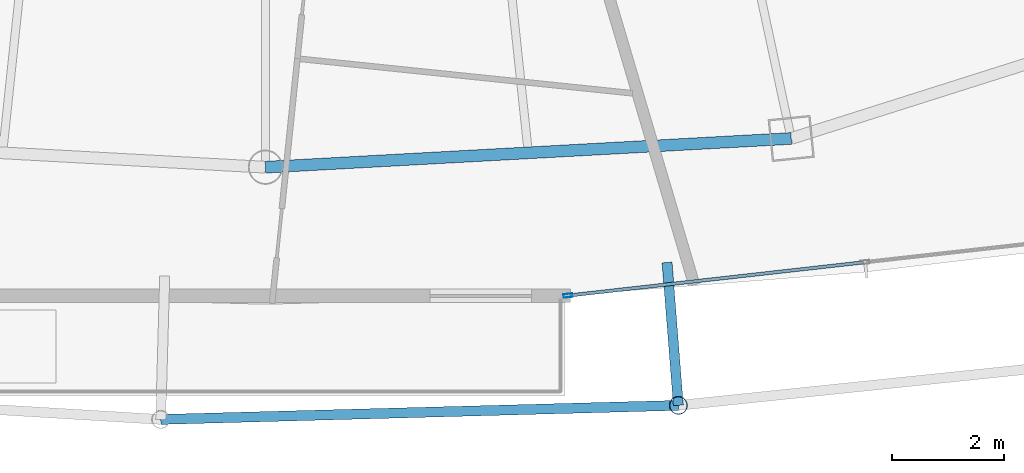
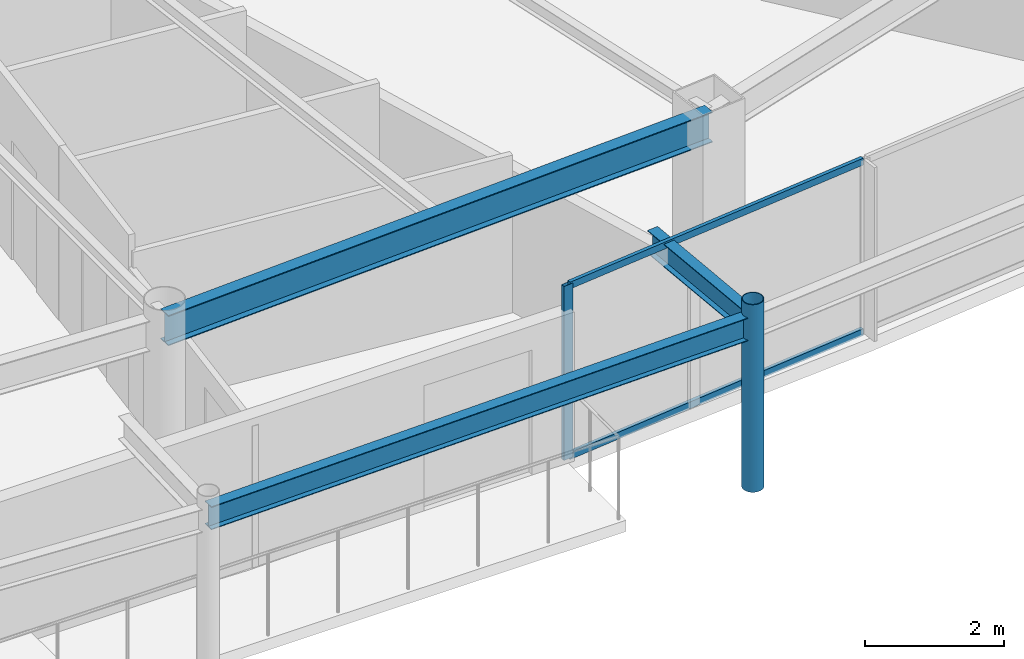
# One storey, part 9 of 34: 4 members, 3 beams, 1 element without a shape of its own.
"""IFC4 building model written with IfcOpenShell, lengths in metres."""

from ifc_helpers import new_model, si_unit, direction, frame, origin, origin_2d, place, context, subcontext, project, spatial, hollow_rectangle, hollow_circle, i_section, extrude, material, layer, layer_set, material_profile, profile_set, type_object, element, aggregate, save


model = new_model("IFC4")

# Units and contexts
model_context = context("Model", 3, precision=1e-05, world=origin(), true_north=direction((0.0, 1.0)))
body_context = subcontext(model_context, "Body", "Model", "MODEL_VIEW")
ifc_project = project(units=[si_unit("LENGTHUNIT", "METRE"), si_unit("AREAUNIT", "SQUARE_METRE"), si_unit("VOLUMEUNIT", "CUBIC_METRE"), si_unit("PLANEANGLEUNIT", "RADIAN"), si_unit("MASSUNIT", "GRAM", prefix="KILO")], contexts=[model_context])

# Site, building, storey
site_placement = place(None, origin())
site = spatial("IfcSite", under=ifc_project, at=site_placement, CompositionType="ELEMENT")
building_placement = place(site_placement, origin())
building = spatial("IfcBuilding", under=site, at=building_placement, Name="Orvanel Arch Residences", CompositionType="ELEMENT")
storey_placement = place(building_placement, frame((0.0, 0.0, 199.699951171875)))
storey = spatial("IfcBuildingStorey", under=building, at=storey_placement, Name="L56", CompositionType="ELEMENT", Elevation=199.699951171875)

# Curtain wall, member
ifc_material_1 = material(Name="Bronze-anodised aluminium AA6063-T6", Category="aluminium")
ifc_layer = layer(ifc_material_1, 0.175048828125)
ifc_layer_set = layer_set([ifc_layer], Name="Bronze-anodised aluminium AA6063-T6")
curtain_wall_type = type_object("IfcCurtainWallType", Name="CW4-HI-SYS", PredefinedType="NOTDEFINED", material=ifc_layer_set)
curtain_wall_placement = place(storey_placement, origin())
curtain_wall = element("IfcCurtainWall", 1, at=curtain_wall_placement, inside=storey, type_object=curtain_wall_type, Name="L56 CW4-HI-SYS Unitised Curtain Wall", PredefinedType="NOTDEFINED")
ifc_material_profile_1 = material_profile(ifc_material_1, hollow_rectangle(XDim=0.06494140625, YDim=0.159912109375, WallThickness=0.00390625, at=origin_2d()), Name="ALU160x65x4")
ifc_profile_set_1 = profile_set([ifc_material_profile_1], Name="Bronze-anodised aluminium AA6063-T6")
member_type_1 = type_object("IfcMemberType", Name="MUL-160x65", PredefinedType="MULLION", material=ifc_profile_set_1)
member_1_placement = place(storey_placement, frame((38.38134765625, 4.560546875, 0.0), z_axis=(0.0, 0.0, 1.0), x_axis=(-0.111799388547, 0.993730796907, 0.0)))
member_1 = element("IfcMember", 2, at=member_1_placement, type_object=member_type_1, Name="CW-S4 mullion 1", PredefinedType="MULLION", context=body_context, shape_type="SweptSolid", body=[
    extrude(hollow_rectangle(XDim=0.06494140625, YDim=0.159912109375, WallThickness=0.00390625, at=origin_2d()), origin(), (0.0, 0.0, 1.0), 3.06005859375),
])

# Beams
ifc_material_2 = material(Name="Structural steel AS/NZS 3679.1 Grade 300 (300 MPa)", Category="steel")
ifc_material_profile_2 = material_profile(ifc_material_2, i_section(OverallWidth=0.177978515625, OverallDepth=0.406005859375, WebThickness=0.0078125, FlangeThickness=0.0126953125, at=origin_2d()), Name="410UB59.7")
ifc_profile_set_2 = profile_set([ifc_material_profile_2], Name="Structural steel AS/NZS 3679.1 Grade 300 (300 MPa)")
beam_type_1 = type_object("IfcBeamType", Name="OB-410UB-EXT", PredefinedType="SPANDREL", material=ifc_profile_set_2)
beam_1_placement = place(storey_placement, frame((31.136962890625, 2.35791015625, 2.85693359375), z_axis=(0.999631556655, 0.027143156396, 0.0), x_axis=(-0.027143156396, 0.999631556655, 0.0)))
element("IfcBeam", 3, at=beam_1_placement, inside=storey, type_object=beam_type_1, Name="L56 Outer Perimeter Floor Ring Beam 06", PredefinedType="SPANDREL", context=body_context, shape_type="SweptSolid", body=[
    extrude(i_section(OverallWidth=0.177978515625, OverallDepth=0.406005859375, WebThickness=0.0078125, FlangeThickness=0.0126953125, at=origin_2d()), origin(), (0.0, 0.0, 1.0), 9.21044921875),
])
beam_2_placement = place(storey_placement, frame((40.14306640625, 5.14990234375, 2.85693359375), z_axis=(0.078797636407, -0.996890632164, 0.0), x_axis=(0.996890632164, 0.078797636407, 0.0)))
element("IfcBeam", 4, at=beam_2_placement, inside=storey, type_object=beam_type_1, Name="L56 Outer Frame Radial Tie Beam 07", PredefinedType="SPANDREL", context=body_context, shape_type="SweptSolid", body=[
    extrude(i_section(OverallWidth=0.177978515625, OverallDepth=0.406005859375, WebThickness=0.0078125, FlangeThickness=0.0126953125, at=origin_2d()), origin(), (0.0, 0.0, 1.0), 2.5498046875),
])
ifc_material_profile_3 = material_profile(ifc_material_2, i_section(OverallWidth=0.208984375, OverallDepth=0.532958984375, WebThickness=0.01025390625, FlangeThickness=0.015625, at=origin_2d()), Name="530UB92.4")
ifc_profile_set_3 = profile_set([ifc_material_profile_3], Name="Structural steel AS/NZS 3679.1 Grade 300 (300 MPa)")
beam_type_2 = type_object("IfcBeamType", Name="SP-530UB", PredefinedType="SPANDREL", material=ifc_profile_set_3)
beam_3_placement = place(storey_placement, frame((33.0, 6.843994140625, 2.79296875), z_axis=(0.998510315598, 0.054563262768, 0.0), x_axis=(-0.054563262768, 0.998510315598, 0.0)))
element("IfcBeam", 5, at=beam_3_placement, inside=storey, type_object=beam_type_2, Name="L56 Perimeter Spandrel Beam 04", PredefinedType="SPANDREL", context=body_context, shape_type="SweptSolid", body=[
    extrude(i_section(OverallWidth=0.208984375, OverallDepth=0.532958984375, WebThickness=0.01025390625, FlangeThickness=0.015625, at=origin_2d()), origin(), (0.0, 0.0, 1.0), 9.364990234375),
])

# Member
ifc_material_3 = material(Name="Structural steel AS/NZS 1163 C350L0 (Grade 350)", Category="steel")
ifc_material_profile_4 = material_profile(ifc_material_3, hollow_circle(Radius=0.162109375, WallThickness=0.0126953125, at=origin_2d()), Name="CHS324x12.7")
ifc_profile_set_4 = profile_set([ifc_material_profile_4], Name="Structural steel AS/NZS 1163 C350L0 (Grade 350)")
member_type_2 = type_object("IfcMemberType", Name="ST-324CHS-EXT", PredefinedType="STRUT", material=ifc_profile_set_4)
member_2_placement = place(storey_placement, frame((40.343994140625, 2.60791015625, 0.0), z_axis=(0.0, 0.0, 1.0), x_axis=(1.0, 0.0, 0.0)))
element("IfcMember", 6, at=member_2_placement, inside=storey, type_object=member_type_2, Name="L56 Outer Perimeter Frame Post 07", PredefinedType="STRUT", context=body_context, shape_type="SweptSolid", body=[
    extrude(hollow_circle(Radius=0.162109375, WallThickness=0.0126953125, at=origin_2d()), origin(), (0.0, 0.0, 1.0), 3.300048828125),
])

ifc_material_profile_5 = material_profile(ifc_material_1, hollow_rectangle(XDim=0.06005859375, YDim=0.1201171875, WallThickness=0.00341796875, at=origin_2d()), Name="ALU120x60x3.5")
ifc_profile_set_5 = profile_set([ifc_material_profile_5], Name="Bronze-anodised aluminium AA6063-T6")
member_type_3 = type_object("IfcMemberType", Name="TRN-120x60", PredefinedType="USERDEFINED", material=ifc_profile_set_5)
member_3_placement = place(storey_placement, frame((38.41357421875, 4.564208984375, 0.030029296875), z_axis=(0.993729702059, 0.111809119694, 0.0), x_axis=(-0.111809119694, 0.993729702059, 0.0)))
member_3 = element("IfcMember", 7, at=member_3_placement, type_object=member_type_3, Name="CW-S4 transom 1.1", ObjectType="TRANSOM", PredefinedType="USERDEFINED", context=body_context, shape_type="SweptSolid", body=[
    extrude(hollow_rectangle(XDim=0.06005859375, YDim=0.1201171875, WallThickness=0.00341796875, at=origin_2d()), origin(), (0.0, 0.0, 1.0), 5.25146484375),
])

member_4_placement = place(storey_placement, frame((38.41357421875, 4.564208984375, 3.030029296875), z_axis=(0.993729702059, 0.111809119694, 0.0), x_axis=(-0.111809119694, 0.993729702059, 0.0)))
member_4 = element("IfcMember", 8, at=member_4_placement, type_object=member_type_3, Name="CW-S4 transom 1.2", ObjectType="TRANSOM", PredefinedType="USERDEFINED", context=body_context, shape_type="SweptSolid", body=[
    extrude(hollow_rectangle(XDim=0.06005859375, YDim=0.1201171875, WallThickness=0.00341796875, at=origin_2d()), origin(), (0.0, 0.0, 1.0), 5.25146484375),
])

aggregate(curtain_wall, [member_1, member_3, member_4])

save(model, "model.ifc")
